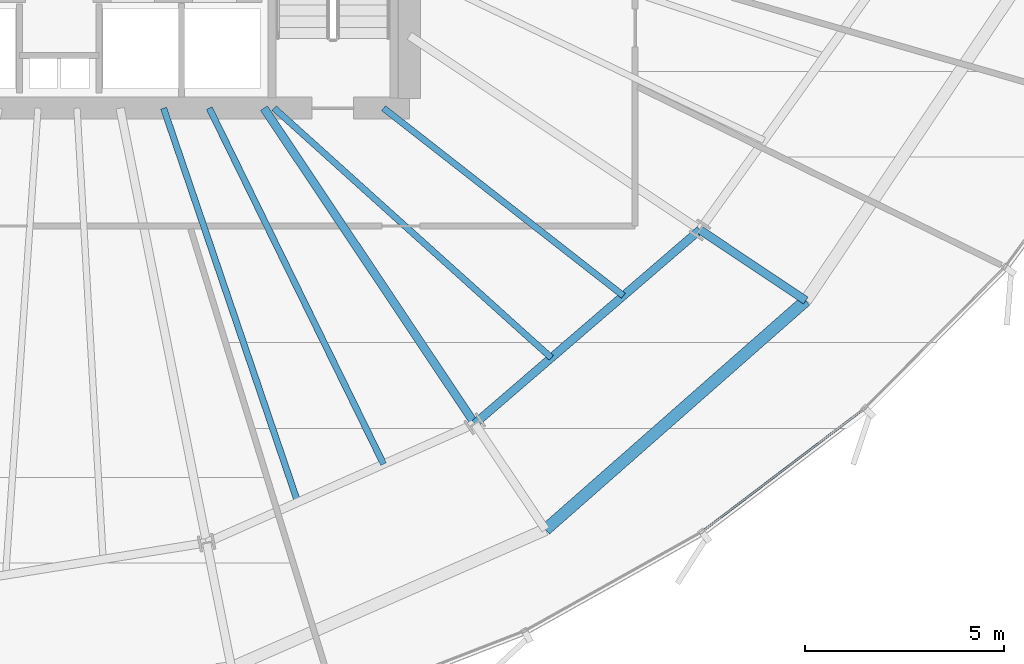
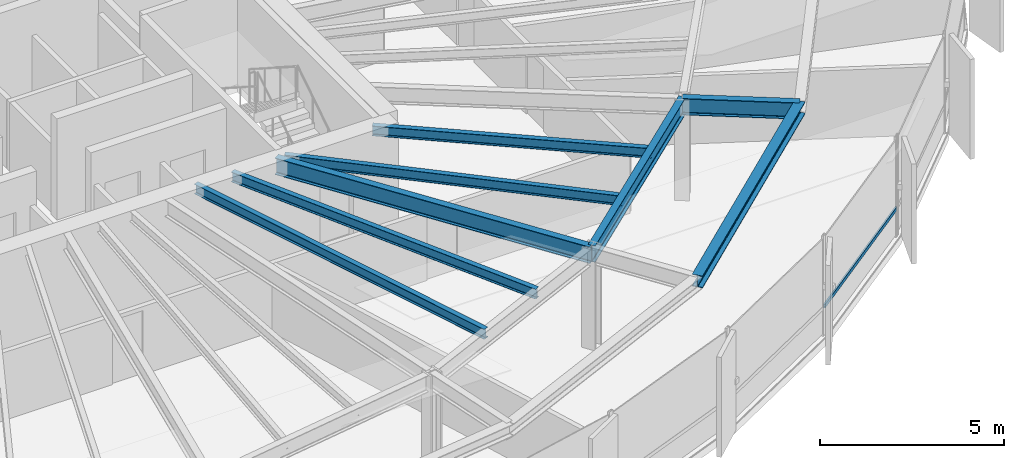
# One storey, part 13 of 35: 8 beams, 1 member, 1 element without a shape of its own.
"""IFC4 building model written with IfcOpenShell, lengths in metres."""

from ifc_helpers import new_model, si_unit, direction, frame, origin, origin_2d, place, context, subcontext, project, spatial, hollow_rectangle, i_section, extrude, source, transform, mapped, material, layer, layer_set, material_profile, profile_set, type_object, element, aggregate, save


model = new_model("IFC4")

# Units and contexts
model_context = context("Model", 3, precision=1e-05, world=origin(), true_north=direction((0.0, 1.0)))
body_context = subcontext(model_context, "Body", "Model", "MODEL_VIEW")
ifc_project = project(units=[si_unit("LENGTHUNIT", "METRE"), si_unit("AREAUNIT", "SQUARE_METRE"), si_unit("VOLUMEUNIT", "CUBIC_METRE"), si_unit("PLANEANGLEUNIT", "RADIAN"), si_unit("MASSUNIT", "GRAM", prefix="KILO"), si_unit("THERMODYNAMICTEMPERATUREUNIT", "KELVIN")], contexts=[model_context])

# Site, building, storey
site_placement = place(None, origin())
site = spatial("IfcSite", under=ifc_project, at=site_placement, CompositionType="ELEMENT")
building_placement = place(site_placement, origin())
building = spatial("IfcBuilding", under=site, at=building_placement, Name="Kethvar Cultural Tower", CompositionType="ELEMENT")
storey_placement = place(building_placement, frame((0.0, 0.0, 103.60009765625)))
storey = spatial("IfcBuildingStorey", under=building, at=storey_placement, Name="L25", CompositionType="ELEMENT", Elevation=103.60009765625)

# Beams
ifc_material_1 = material(Name="Steel S355J2", Category="steel")
ifc_material_profile_1 = material_profile(ifc_material_1, i_section(OverallWidth=0.2099609375, OverallDepth=0.550048828125, WebThickness=0.010986328125, FlangeThickness=0.01708984375, FilletRadius=0.02392578125, at=origin_2d()), Name="Steel S355J2 — IPE550")
ifc_profile_set_1 = profile_set([ifc_material_profile_1], Name="Steel S355J2 — IPE550")
beam_type_1 = type_object("IfcBeamType", Name="BM-IPE550", PredefinedType="BEAM", material=ifc_profile_set_1)
shared_shape_1 = source(origin(), body_context, "Body", "SweptSolid", [
    extrude(i_section(OverallWidth=0.2099609375, OverallDepth=0.550048828125, WebThickness=0.010986328125, FlangeThickness=0.01708984375, FilletRadius=0.02392578125, at=origin_2d()), origin(), (0.0, 0.0, 1.0), 3.199951171875),
])
beam_1_placement = place(storey_placement, frame((62.898681640625, 17.043212890625, 3.072998046875), z_axis=(0.831462943996, -0.555580212716, 0.0), x_axis=(0.555580212716, 0.831462943996, 0.0)))
element("IfcBeam", 1, at=beam_1_placement, inside=storey, type_object=beam_type_1, Name="L25 Perimeter Cantilever Beam RC-15", PredefinedType="BEAM", context=body_context, shape_type="MappedRepresentation", body=[
    mapped(shared_shape_1, transform((0.0, 0.0, 0.0), scale=1.0)),
])
shared_shape_2 = source(origin(), body_context, "Body", "SweptSolid", [
    extrude(i_section(OverallWidth=0.2099609375, OverallDepth=0.550048828125, WebThickness=0.010986328125, FlangeThickness=0.01708984375, FilletRadius=0.02392578125, at=origin_2d()), origin(), (0.0, 0.0, 1.0), 9.534423828125),
])
beam_2_placement = place(storey_placement, frame((51.945068359375, 20.10009765625, 3.072998046875), z_axis=(0.555550817894, -0.831482584747, 0.0), x_axis=(0.831482584747, 0.555550817894, 0.0)))
element("IfcBeam", 2, at=beam_2_placement, inside=storey, type_object=beam_type_1, Name="L25 Primary Radial Beam RB-14", PredefinedType="BEAM", context=body_context, shape_type="MappedRepresentation", body=[
    mapped(shared_shape_2, transform((0.0, 0.0, 0.0), scale=1.0)),
])
ifc_material_profile_2 = material_profile(ifc_material_1, i_section(OverallWidth=0.159912109375, OverallDepth=0.330078125, WebThickness=0.007568359375, FlangeThickness=0.011474609375, FilletRadius=0.01806640625, at=origin_2d()), Name="Steel S355J2 — IPE330")
ifc_profile_set_2 = profile_set([ifc_material_profile_2], Name="Steel S355J2 — IPE330")
beam_type_2 = type_object("IfcBeamType", Name="BM-J330", PredefinedType="JOIST", material=ifc_profile_set_2)
shared_shape_3 = source(origin(), body_context, "Body", "SweptSolid", [
    extrude(i_section(OverallWidth=0.159912109375, OverallDepth=0.330078125, WebThickness=0.007568359375, FlangeThickness=0.011474609375, FilletRadius=0.01806640625, at=origin_2d()), origin(), (0.0, 0.0, 1.0), 10.45947265625),
])
beam_3_placement = place(storey_placement, frame((49.42236328125, 20.10009765625, 3.182861328125), z_axis=(0.322390188368, -0.94660687006, 0.0), x_axis=(0.94660687006, 0.322390188368, 0.0)))
element("IfcBeam", 3, at=beam_3_placement, inside=storey, type_object=beam_type_2, Name="L25 Composite Floor Joist J-13A", PredefinedType="JOIST", context=body_context, shape_type="MappedRepresentation", body=[
    mapped(shared_shape_3, transform((0.0, 0.0, 0.0), scale=1.0)),
])
shared_shape_4 = source(origin(), body_context, "Body", "SweptSolid", [
    extrude(i_section(OverallWidth=0.159912109375, OverallDepth=0.330078125, WebThickness=0.007568359375, FlangeThickness=0.011474609375, FilletRadius=0.01806640625, at=origin_2d()), origin(), (0.0, 0.0, 1.0), 9.959228515625),
])
beam_4_placement = place(storey_placement, frame((50.57080078125, 20.10009765625, 3.182861328125), z_axis=(0.439785134514, -0.898103020516, 0.0), x_axis=(0.898103020516, 0.439785134514, 0.0)))
element("IfcBeam", 4, at=beam_4_placement, inside=storey, type_object=beam_type_2, Name="L25 Composite Floor Joist J-13B", PredefinedType="JOIST", context=body_context, shape_type="MappedRepresentation", body=[
    mapped(shared_shape_4, transform((0.0, 0.0, 0.0), scale=1.0)),
])
shared_shape_5 = source(origin(), body_context, "Body", "SweptSolid", [
    extrude(i_section(OverallWidth=0.2099609375, OverallDepth=0.550048828125, WebThickness=0.010986328125, FlangeThickness=0.01708984375, FilletRadius=0.02392578125, at=origin_2d()), origin(), (0.0, 0.0, 1.0), 7.46484375),
])
beam_5_placement = place(storey_placement, frame((57.241943359375, 12.17236328125, 3.072998046875), z_axis=(0.757784075291, 0.652505398625, 0.0), x_axis=(-0.652505398625, 0.757784075291, 0.0)))
element("IfcBeam", 5, at=beam_5_placement, inside=storey, type_object=beam_type_1, Name="L25 Column Ring Tie Beam CR-14", PredefinedType="BEAM", context=body_context, shape_type="MappedRepresentation", body=[
    mapped(shared_shape_5, transform((0.0, 0.0, 0.0), scale=1.0)),
])
ifc_material_profile_3 = material_profile(ifc_material_1, i_section(OverallWidth=0.300048828125, OverallDepth=0.39990234375, WebThickness=0.013427734375, FlangeThickness=0.02392578125, FilletRadius=0.027099609375, at=origin_2d()), Name="Steel S355J2 — HEB400")
ifc_profile_set_3 = profile_set([ifc_material_profile_3], Name="Steel S355J2 — HEB400")
beam_type_3 = type_object("IfcBeamType", Name="BM-SP400", PredefinedType="SPANDREL", material=ifc_profile_set_3)
shared_shape_6 = source(origin(), body_context, "Body", "SweptSolid", [
    extrude(i_section(OverallWidth=0.300048828125, OverallDepth=0.39990234375, WebThickness=0.013427734375, FlangeThickness=0.02392578125, FilletRadius=0.027099609375, at=origin_2d()), origin(), (0.0, 0.0, 1.0), 8.71044921875),
])
beam_6_placement = place(storey_placement, frame((59.019775390625, 9.51171875, 3.14794921875), z_axis=(0.75077856833, 0.660553965498, 0.0), x_axis=(-0.660553965498, 0.75077856833, 0.0)))
element("IfcBeam", 6, at=beam_6_placement, inside=storey, type_object=beam_type_3, Name="L25 Perimeter Spandrel Beam SP-14", PredefinedType="SPANDREL", context=body_context, shape_type="MappedRepresentation", body=[
    mapped(shared_shape_6, transform((0.0, 0.0, 0.0), scale=1.0)),
])
shared_shape_7 = source(origin(), body_context, "Body", "SweptSolid", [
    extrude(i_section(OverallWidth=0.159912109375, OverallDepth=0.330078125, WebThickness=0.007568359375, FlangeThickness=0.011474609375, FilletRadius=0.01806640625, at=origin_2d()), origin(), (0.0, 0.0, 1.0), 9.372802734375),
])
beam_7_placement = place(storey_placement, frame((52.199951171875, 20.10009765625, 3.182861328125), z_axis=(0.743151656479, -0.669123019685, 0.0), x_axis=(0.669123019685, 0.743151656479, 0.0)))
element("IfcBeam", 7, at=beam_7_placement, inside=storey, type_object=beam_type_2, Name="L25 Composite Floor Joist J-14A", PredefinedType="JOIST", context=body_context, shape_type="MappedRepresentation", body=[
    mapped(shared_shape_7, transform((0.0, 0.0, 0.0), scale=1.0)),
])
shared_shape_8 = source(origin(), body_context, "Body", "SweptSolid", [
    extrude(i_section(OverallWidth=0.159912109375, OverallDepth=0.330078125, WebThickness=0.007568359375, FlangeThickness=0.011474609375, FilletRadius=0.01806640625, at=origin_2d()), origin(), (0.0, 0.0, 1.0), 7.649658203125),
])
beam_8_placement = place(storey_placement, frame((54.949951171875, 20.10009765625, 3.182861328125), z_axis=(0.787671994752, -0.616094821179, 0.0), x_axis=(0.616094821179, 0.787671994752, 0.0)))
element("IfcBeam", 8, at=beam_8_placement, inside=storey, type_object=beam_type_2, Name="L25 Composite Floor Joist J-14B", PredefinedType="JOIST", context=body_context, shape_type="MappedRepresentation", body=[
    mapped(shared_shape_8, transform((0.0, 0.0, 0.0), scale=1.0)),
])

# Curtain wall, member
ifc_material_2 = material(Name="Aluminium 6063-T6", Category="aluminium")
ifc_layer = layer(ifc_material_2, 0.179931640625, Name="Aluminium 6063-T6", Category="aluminium")
ifc_layer_set = layer_set([ifc_layer], Name="Aluminium 6063-T6 (180 mm)")
curtain_wall_type = type_object("IfcCurtainWallType", Name="CW-SYS-03-Z2", PredefinedType="NOTDEFINED", material=ifc_layer_set)
curtain_wall_placement = place(storey_placement, origin())
curtain_wall = element("IfcCurtainWall", 9, at=curtain_wall_placement, inside=storey, type_object=curtain_wall_type, Name="L25 Curtain Wall Run 05", PredefinedType="NOTDEFINED")
ifc_material_profile_4 = material_profile(ifc_material_2, hollow_rectangle(XDim=0.054931640625, YDim=0.1201171875, WallThickness=0.00390625, at=origin_2d()), Name="Aluminium 6063-T6 — RHS120x55x4")
ifc_profile_set_4 = profile_set([ifc_material_profile_4], Name="Aluminium 6063-T6 — RHS120x55x4")
member_type = type_object("IfcMemberType", Name="CW-SYS-03-Z2-TRN", PredefinedType="USERDEFINED", material=ifc_profile_set_4)
shared_shape_9 = source(origin(), body_context, "Body", "SweptSolid", [
    extrude(hollow_rectangle(XDim=0.054931640625, YDim=0.1201171875, WallThickness=0.00390625, at=origin_2d()), origin(), (0.0, 0.0, 1.0), 5.031982421875),
])
member_placement = place(storey_placement, frame((62.97998046875, 9.481689453125, 0.949951171875), z_axis=(0.796991649384, 0.603990323442, 0.0), x_axis=(-0.603990323442, 0.796991649384, 0.0)))
member = element("IfcMember", 10, at=member_placement, type_object=member_type, Name="CW-L25-R05 Transom 6", ObjectType="TRANSOM", PredefinedType="USERDEFINED", context=body_context, shape_type="MappedRepresentation", body=[
    mapped(shared_shape_9, transform((0.0, 0.0, 0.0), scale=1.0)),
])
aggregate(curtain_wall, [member])

save(model, "model.ifc")
